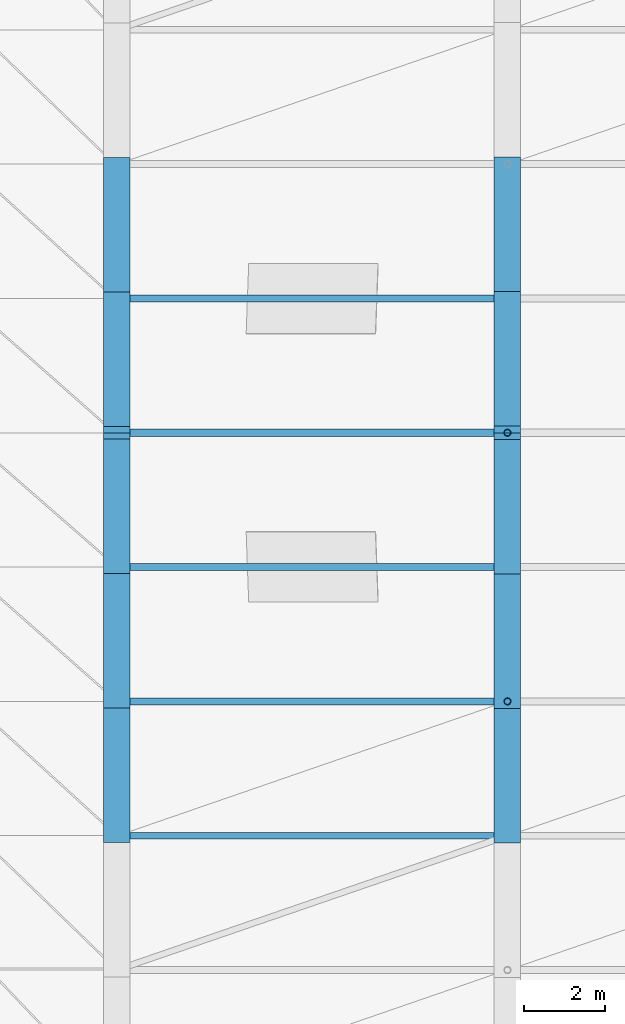
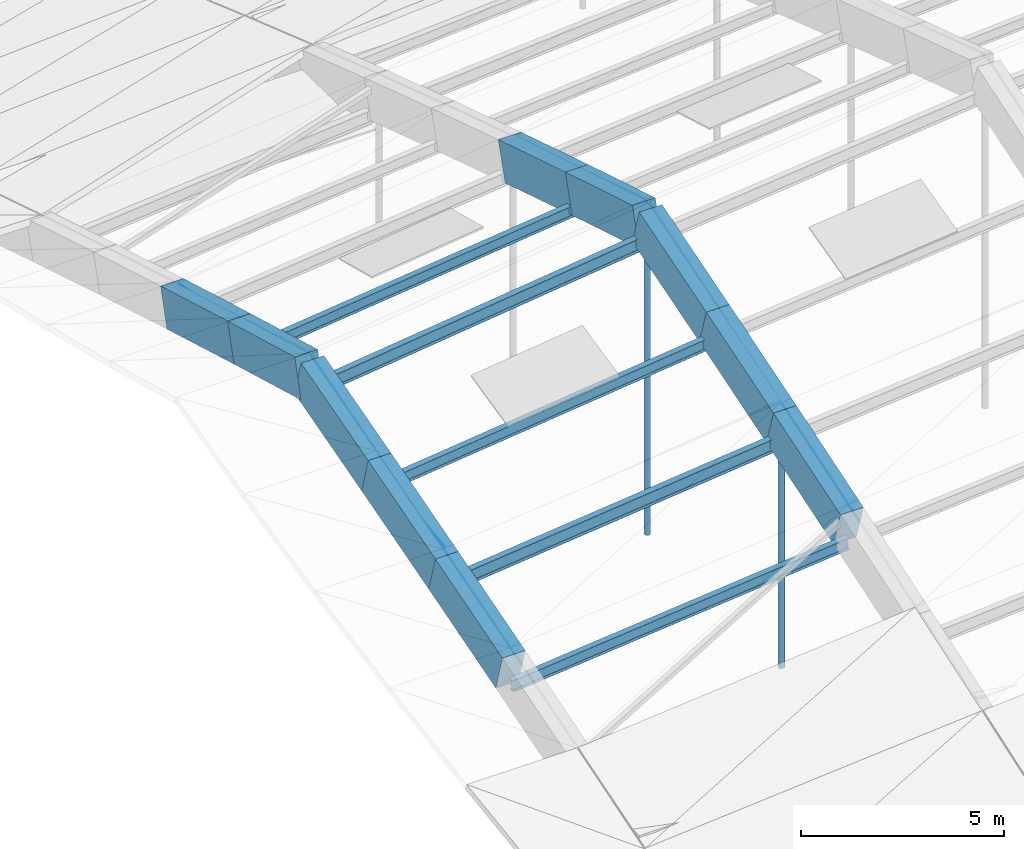
# One storey, part 6 of 43: 10 beams, 7 members.
"""IFC4 building model written with IfcOpenShell, lengths in metres."""

from ifc_helpers import new_model, si_unit, direction, frame, origin, origin_2d, place, context, subcontext, project, spatial, rectangle, hollow_circle, i_section, extrude, material, material_profile, profile_set, type_object, element, save


model = new_model("IFC4")

# Units and contexts
model_context = context("Model", 3, precision=1e-05, world=origin(), true_north=direction((0.0, 1.0)))
body_context = subcontext(model_context, "Body", "Model", "MODEL_VIEW")
ifc_project = project(units=[si_unit("LENGTHUNIT", "METRE"), si_unit("AREAUNIT", "SQUARE_METRE"), si_unit("VOLUMEUNIT", "CUBIC_METRE"), si_unit("PLANEANGLEUNIT", "RADIAN"), si_unit("MASSUNIT", "GRAM", prefix="KILO")], contexts=[model_context])

# Site, building, storey
site_placement = place(None, origin())
site = spatial("IfcSite", under=ifc_project, at=site_placement, CompositionType="ELEMENT")
building_placement = place(site_placement, origin())
building = spatial("IfcBuilding", under=site, at=building_placement, Name="Chalmorin Arch Market", CompositionType="ELEMENT")
storey_placement = place(building_placement, frame((0.0, 0.0, 18.60009765625)))
storey = spatial("IfcBuildingStorey", under=building, at=storey_placement, Name="RF", CompositionType="ELEMENT", Elevation=18.60009765625)

# Members
ifc_material_1 = material(Name="Steel A500 Grade C", Category="steel")
ifc_material_profile_1 = material_profile(ifc_material_1, hollow_circle(Radius=0.084228515625, WallThickness=0.007080078125, at=origin_2d()), Name="CHS168X7")
ifc_profile_set_1 = profile_set([ifc_material_profile_1], Name="Steel A500 Grade C")
member_type_1 = type_object("IfcMemberType", Name="ArchHangerTie-CHS168", PredefinedType="CHORD", material=ifc_profile_set_1)
member_1_placement = place(storey_placement, frame((57.60009765625, 25.800048828125, -3.283447265625), z_axis=(0.0, 0.0, 1.0), x_axis=(1.0, 0.0, 0.0)))
element("IfcMember", 1, at=member_1_placement, inside=storey, type_object=member_type_1, Name="HT-CH168-0137", PredefinedType="CHORD", context=body_context, shape_type="SweptSolid", body=[
    extrude(hollow_circle(Radius=0.084228515625, WallThickness=0.007080078125, at=origin_2d()), origin(), (0.0, 0.0, 1.0), 7.291748046875),
])
member_2_placement = place(storey_placement, frame((57.60009765625, 32.39990234375, -3.283447265625), z_axis=(0.0, 0.0, 1.0), x_axis=(1.0, 0.0, 0.0)))
element("IfcMember", 2, at=member_2_placement, inside=storey, type_object=member_type_1, Name="HT-CH168-0138", PredefinedType="CHORD", context=body_context, shape_type="SweptSolid", body=[
    extrude(hollow_circle(Radius=0.084228515625, WallThickness=0.007080078125, at=origin_2d()), origin(), (0.0, 0.0, 1.0), 9.319580078125),
])

# Beams
ifc_material_2 = material(Name="Concrete C50/60", Category="concrete")
ifc_material_profile_2 = material_profile(ifc_material_2, rectangle(XDim=0.64990234375, YDim=1.14990234375, at=origin_2d()), Name="RC650X1150")
ifc_profile_set_2 = profile_set([ifc_material_profile_2], Name="Concrete C50/60")
beam_type = type_object("IfcBeamType", Name="ArchRibChord-650x1150", PredefinedType="BEAM", material=ifc_profile_set_2)
beam_1_placement = place(storey_placement, frame((48.0, 22.5, 2.002197265625), z_axis=(0.0, 0.959049689051, 0.283237875171), x_axis=(-1.0, 0.0, 0.0)))
element("IfcBeam", 3, at=beam_1_placement, inside=storey, type_object=beam_type, Name="AR-01-1590", PredefinedType="BEAM", context=body_context, shape_type="SweptSolid", body=[
    extrude(rectangle(XDim=0.64990234375, YDim=1.14990234375, at=origin_2d()), origin(), (0.0, 0.0, 1.0), 3.44091796875),
])
beam_2_placement = place(storey_placement, frame((48.0, 25.800048828125, 2.976806640625), z_axis=(0.0, 0.961034131842, 0.276429733269), x_axis=(-1.0, 0.0, 0.0)))
element("IfcBeam", 4, at=beam_2_placement, inside=storey, type_object=beam_type, Name="AR-01-1591", PredefinedType="BEAM", context=body_context, shape_type="SweptSolid", body=[
    extrude(rectangle(XDim=0.64990234375, YDim=1.14990234375, at=origin_2d()), origin(), (0.0, 0.0, 1.0), 3.433837890625),
])
beam_3_placement = place(storey_placement, frame((48.0, 29.10009765625, 3.926025390625), z_axis=(0.0, 0.962972898626, 0.26959821311), x_axis=(-1.0, 0.0, 0.0)))
element("IfcBeam", 5, at=beam_3_placement, inside=storey, type_object=beam_type, Name="AR-01-1592", PredefinedType="BEAM", context=body_context, shape_type="SweptSolid", body=[
    extrude(rectangle(XDim=0.64990234375, YDim=1.14990234375, at=origin_2d()), origin(), (0.0, 0.0, 1.0), 3.4267578125),
])
beam_4_placement = place(storey_placement, frame((48.0, 32.39990234375, 4.849853515625), z_axis=(0.0, 0.962978076544, -0.269579717514), x_axis=(-1.0, 0.0, 0.0)))
element("IfcBeam", 6, at=beam_4_placement, inside=storey, type_object=beam_type, Name="AR-01-1593", PredefinedType="BEAM", context=body_context, shape_type="SweptSolid", body=[
    extrude(rectangle(XDim=0.64990234375, YDim=1.14990234375, at=origin_2d()), origin(), (0.0, 0.0, 1.0), 3.427001953125),
])
beam_5_placement = place(storey_placement, frame((48.0, 35.699951171875, 3.926025390625), z_axis=(0.0, 0.961034131842, -0.276429733269), x_axis=(-1.0, 0.0, 0.0)))
element("IfcBeam", 7, at=beam_5_placement, inside=storey, type_object=beam_type, Name="AR-01-1594", PredefinedType="BEAM", context=body_context, shape_type="SweptSolid", body=[
    extrude(rectangle(XDim=0.64990234375, YDim=1.14990234375, at=origin_2d()), origin(), (0.0, 0.0, 1.0), 3.433837890625),
])
beam_6_placement = place(storey_placement, frame((57.60009765625, 22.5, 2.953125), z_axis=(0.0, 0.952494485955, 0.304555831049), x_axis=(-1.0, 0.0, 0.0)))
element("IfcBeam", 8, at=beam_6_placement, inside=storey, type_object=beam_type, Name="AR-01-1609", PredefinedType="BEAM", context=body_context, shape_type="SweptSolid", body=[
    extrude(rectangle(XDim=0.64990234375, YDim=1.14990234375, at=origin_2d()), origin(), (0.0, 0.0, 1.0), 3.464599609375),
])
beam_7_placement = place(storey_placement, frame((57.60009765625, 25.800048828125, 4.00830078125), z_axis=(0.0, 0.954782389732, 0.297305546969), x_axis=(-1.0, 0.0, 0.0)))
element("IfcBeam", 9, at=beam_7_placement, inside=storey, type_object=beam_type, Name="AR-01-1610", PredefinedType="BEAM", context=body_context, shape_type="SweptSolid", body=[
    extrude(rectangle(XDim=0.64990234375, YDim=1.14990234375, at=origin_2d()), origin(), (0.0, 0.0, 1.0), 3.456298828125),
])
beam_8_placement = place(storey_placement, frame((57.60009765625, 29.10009765625, 5.035888671875), z_axis=(0.0, 0.956999985535, 0.290087965429), x_axis=(-1.0, 0.0, 0.0)))
element("IfcBeam", 10, at=beam_8_placement, inside=storey, type_object=beam_type, Name="AR-01-1611", PredefinedType="BEAM", context=body_context, shape_type="SweptSolid", body=[
    extrude(rectangle(XDim=0.64990234375, YDim=1.14990234375, at=origin_2d()), origin(), (0.0, 0.0, 1.0), 3.447998046875),
])
beam_9_placement = place(storey_placement, frame((57.60009765625, 32.39990234375, 6.0361328125), z_axis=(0.0, 0.95700594324, -0.290068310236), x_axis=(-1.0, 0.0, 0.0)))
element("IfcBeam", 11, at=beam_9_placement, inside=storey, type_object=beam_type, Name="AR-01-1612", PredefinedType="BEAM", context=body_context, shape_type="SweptSolid", body=[
    extrude(rectangle(XDim=0.64990234375, YDim=1.14990234375, at=origin_2d()), origin(), (0.0, 0.0, 1.0), 3.4482421875),
])
beam_10_placement = place(storey_placement, frame((57.60009765625, 35.699951171875, 5.035888671875), z_axis=(0.0, 0.954782389732, -0.297305546969), x_axis=(-1.0, 0.0, 0.0)))
element("IfcBeam", 12, at=beam_10_placement, inside=storey, type_object=beam_type, Name="AR-01-1613", PredefinedType="BEAM", context=body_context, shape_type="SweptSolid", body=[
    extrude(rectangle(XDim=0.64990234375, YDim=1.14990234375, at=origin_2d()), origin(), (0.0, 0.0, 1.0), 3.456298828125),
])

# Members
ifc_material_3 = material(Name="Steel A992 Grade 50", Category="steel")
ifc_material_profile_3 = material_profile(ifc_material_3, i_section(OverallWidth=0.1708984375, OverallDepth=0.35107421875, WebThickness=0.0068359375, FlangeThickness=0.009765625, FilletRadius=0.014892578125, at=origin_2d()), Name="W14X30")
ifc_profile_set_3 = profile_set([ifc_material_profile_3], Name="Steel A992 Grade 50")
member_type_2 = type_object("IfcMemberType", Name="RoofSteelPurlin-W14X30", PredefinedType="PURLIN", material=ifc_profile_set_3)
member_3_placement = place(storey_placement, frame((48.02001953125, 22.5, 1.522216796875), z_axis=(0.995089386539, 0.0, 0.098980365713), x_axis=(0.0, 1.0, 0.0)))
element("IfcMember", 13, at=member_3_placement, inside=storey, type_object=member_type_2, Name="PR-W14-0189", PredefinedType="PURLIN", context=body_context, shape_type="SweptSolid", body=[
    extrude(i_section(OverallWidth=0.1708984375, OverallDepth=0.35107421875, WebThickness=0.0068359375, FlangeThickness=0.009765625, FilletRadius=0.014892578125, at=origin_2d()), origin(), (0.0, 0.0, 1.0), 9.607177734375),
])
for number, where, z_axis, x_axis, name in (
    (14, (48.02001953125, 29.10009765625, 3.446044921875), (0.993328480466, 0.0, 0.115319252061), (0.0, 1.0, 0.0), "PR-W14-0191"),
    (15, (48.02001953125, 35.699951171875, 3.446044921875), (0.993328480466, 0.0, 0.115319252061), (0.0, 1.0, 0.0), "PR-W14-0193"),
):
    element("IfcMember", number, at=place(storey_placement, frame(where, z_axis=z_axis, x_axis=x_axis)), inside=storey, type_object=member_type_2, Name=name, PredefinedType="PURLIN", context=body_context, shape_type="SweptSolid", body=[
        extrude(i_section(OverallWidth=0.1708984375, OverallDepth=0.35107421875, WebThickness=0.0068359375, FlangeThickness=0.009765625, FilletRadius=0.014892578125, at=origin_2d()), origin(), (0.0, 0.0, 1.0), 9.624267578125),
    ])
ifc_material_profile_4 = material_profile(ifc_material_3, i_section(OverallWidth=0.178955078125, OverallDepth=0.409912109375, WebThickness=0.0087890625, FlangeThickness=0.014404296875, FilletRadius=0.01806640625, at=origin_2d()), Name="W16X45")
ifc_profile_set_4 = profile_set([ifc_material_profile_4], Name="Steel A992 Grade 50")
member_type_3 = type_object("IfcMemberType", Name="RoofSteelPurlin-W16X45", PredefinedType="PURLIN", material=ifc_profile_set_4)
member_4_placement = place(storey_placement, frame((48.02001953125, 25.800048828125, 2.496826171875), z_axis=(0.994229537793, 0.0, 0.1072736043), x_axis=(0.0, 1.0, 0.0)))
element("IfcMember", 16, at=member_4_placement, inside=storey, type_object=member_type_3, Name="PR-W16-0190", PredefinedType="PURLIN", context=body_context, shape_type="SweptSolid", body=[
    extrude(i_section(OverallWidth=0.178955078125, OverallDepth=0.409912109375, WebThickness=0.0087890625, FlangeThickness=0.014404296875, FilletRadius=0.01806640625, at=origin_2d()), origin(), (0.0, 0.0, 1.0), 9.615478515625),
])
member_5_placement = place(storey_placement, frame((48.02001953125, 32.39990234375, 4.369873046875), z_axis=(0.992388985789, 0.0, 0.12314260386), x_axis=(0.0, 1.0, 0.0)))
element("IfcMember", 17, at=member_5_placement, inside=storey, type_object=member_type_3, Name="PR-W16-0192", PredefinedType="PURLIN", context=body_context, shape_type="SweptSolid", body=[
    extrude(i_section(OverallWidth=0.178955078125, OverallDepth=0.409912109375, WebThickness=0.0087890625, FlangeThickness=0.014404296875, FilletRadius=0.01806640625, at=origin_2d()), origin(), (0.0, 0.0, 1.0), 9.63330078125),
])

save(model, "model.ifc")
